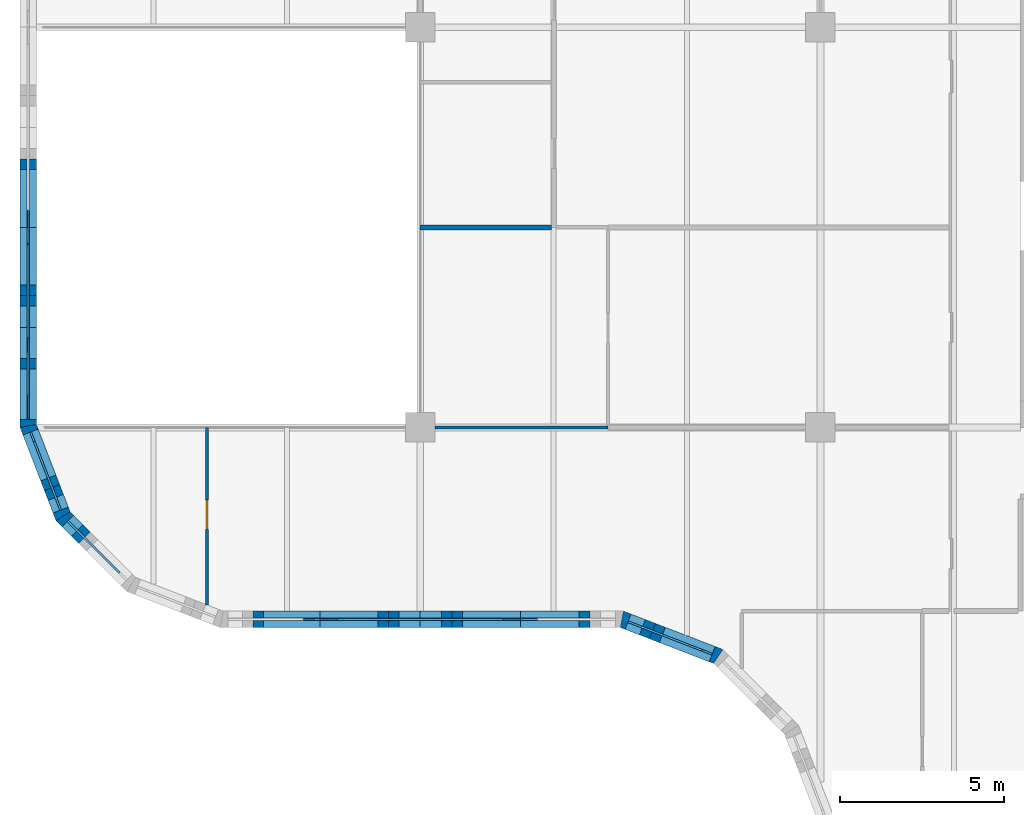
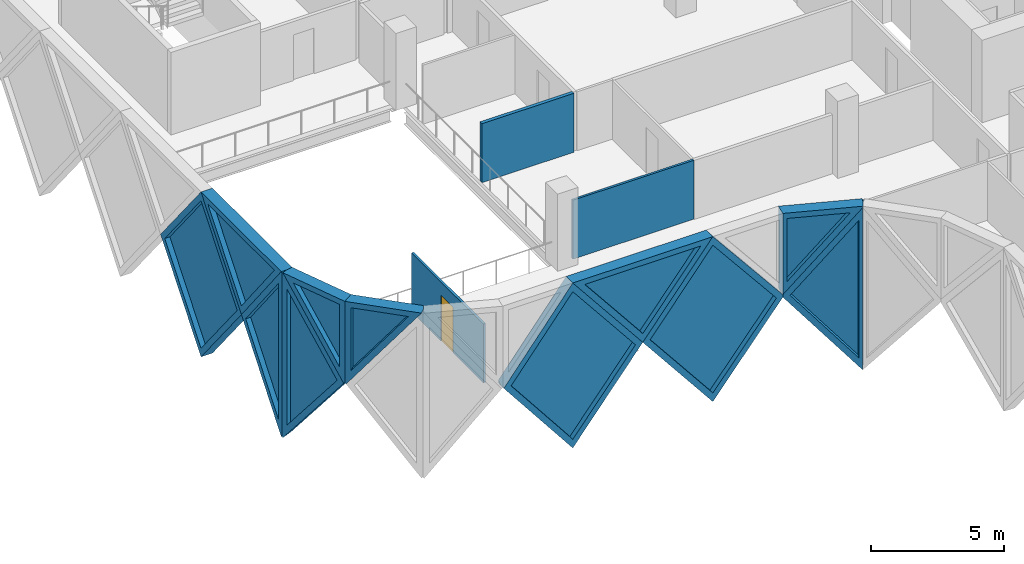
# One storey, part 5 of 24: 14 walls, 11 plates, 1 door, 12 openings.
"""IFC4 building model written with IfcOpenShell, lengths in metres."""

from ifc_helpers import new_model, si_unit, direction, frame, frame_2d, origin, place, context, subcontext, project, spatial, polyline, rectangle, outline, extrude, faceted_brep, source, transform, mapped, material, layer, layer_set, type_object, element, fill, save


model = new_model("IFC4")

# Units and contexts
model_context = context("Model", 3, precision=1e-05, world=origin(), true_north=direction((0.0, 1.0)))
body_context = subcontext(model_context, "Body", "Model", "MODEL_VIEW")
ifc_project = project(units=[si_unit("LENGTHUNIT", "METRE"), si_unit("AREAUNIT", "SQUARE_METRE"), si_unit("VOLUMEUNIT", "CUBIC_METRE"), si_unit("PLANEANGLEUNIT", "RADIAN"), si_unit("MASSUNIT", "GRAM", prefix="KILO")], contexts=[model_context])

# Site, building, storey
site_placement = place(None, origin())
site = spatial("IfcSite", under=ifc_project, at=site_placement, CompositionType="ELEMENT")
building_placement = place(site_placement, origin())
building = spatial("IfcBuilding", under=site, at=building_placement, Name="Tessera Gate Towers", CompositionType="ELEMENT")
storey_placement = place(building_placement, frame((0.0, 0.0, 102.800048828125)))
storey = spatial("IfcBuildingStorey", under=building, at=storey_placement, Name="L25", CompositionType="ELEMENT", Elevation=102.800048828125)

# Wall, opening, door
ifc_material_1 = material(Name="Glass", Category="glass")
ifc_layer_1 = layer(ifc_material_1, 0.10009765625)
ifc_layer_set_1 = layer_set([ifc_layer_1], Name="GLAZED PARTITION 100")
wall_type_1 = type_object("IfcWallType", Name="GLAZED PARTITION 100", PredefinedType="PARTITIONING", material=ifc_layer_set_1)
wall_1_placement = place(storey_placement, frame((5.699951171875, 18.990234375, 0.0), z_axis=(0.0, 0.0, 1.0), x_axis=(0.0, 1.0, 0.0)))
wall_1 = element("IfcWall", 1, at=wall_1_placement, inside=storey, type_object=wall_type_1, Name="T1-L25-PW-022", PredefinedType="PARTITIONING", context=body_context, shape_type="SweptSolid", body=[
    extrude(rectangle(XDim=5.40966796875, YDim=0.10009765625, at=frame_2d((2.704833984375, 0.0))), origin(), (0.0, 0.0, 1.0), 2.71484375),
])
shared_shape_1 = source(origin(), body_context, "Body", "SweptSolid", [
    extrude(rectangle(XDim=0.89990234375, YDim=2.10009765625, at=frame_2d((0.449951171875, 1.050048828125))), frame((0.0, 0.06005859375, 0.0), z_axis=(0.0, -1.0, 0.0), x_axis=(1.0, 0.0, 0.0)), (0.0, 0.0, 1.0), 0.1201171875),
])
opening_1_placement = place(wall_1_placement, frame((2.300048828125, 0.0, 0.0)))
opening_1 = element("IfcOpeningElement", 2, at=opening_1_placement, cuts=wall_1, Name="Opening D690-A09-01", PredefinedType="OPENING", context=body_context, shape_type="MappedRepresentation", body=[
    mapped(shared_shape_1, transform((0.0, 0.0, 0.0), scale=1.0)),
])
ifc_material_2 = material(Name="Glass in aluminium frame", Category="aluminium")
door_type = type_object("IfcDoorType", Name="GLAZED DOOR 900 NOT RATED", OperationType="NOTDEFINED", PredefinedType="DOOR", material=ifc_material_2)
shared_shape_2 = source(origin(), body_context, "Body", "SweptSolid", [
    extrude(rectangle(XDim=0.89990234375, YDim=2.10009765625, at=frame_2d((0.449951171875, 1.050048828125))), frame((0.0, 0.02490234375, 0.0), z_axis=(0.0, -1.0, 0.0), x_axis=(1.0, 0.0, 0.0)), (0.0, 0.0, 1.0), 0.050048828125),
])
door_placement = place(opening_1_placement, origin())
door = element("IfcDoor", 3, at=door_placement, inside=storey, type_object=door_type, Name="T1-L25-PD-008", OperationType="SINGLE_SWING_LEFT", OverallHeight=2.10009765625, OverallWidth=0.89990234375, PredefinedType="DOOR", context=body_context, shape_type="MappedRepresentation", body=[
    mapped(shared_shape_2, transform((0.0, 0.0, 0.0), scale=1.0)),
])
fill(opening_1, door)

# Walls
wall_2_placement = place(storey_placement, frame((12.65087890625, 24.39990234375, 0.0), z_axis=(0.0, 0.0, 1.0), x_axis=(1.0, 0.0, 0.0)))
element("IfcWall", 4, at=wall_2_placement, inside=storey, type_object=wall_type_1, Name="T1-L25-PW-027", PredefinedType="PARTITIONING", context=body_context, shape_type="SweptSolid", body=[
    extrude(rectangle(XDim=5.273193359375, YDim=0.10009765625, at=frame_2d((2.63671875, 0.0))), origin(), (0.0, 0.0, 1.0), 2.71484375),
])
ifc_material_3 = material(Name="Gypsum board on steel studs, mineral wool", Category="steel")
ifc_layer_2 = layer(ifc_material_3, 0.14990234375)
ifc_layer_set_2 = layer_set([ifc_layer_2], Name="TENANCY WALL 150")
wall_type_2 = type_object("IfcWallType", Name="TENANCY WALL 150", PredefinedType="PARTITIONING", material=ifc_layer_set_2)
wall_3_placement = place(storey_placement, frame((12.199951171875, 30.5, 0.0), z_axis=(0.0, 0.0, 1.0), x_axis=(1.0, 0.0, 0.0)))
element("IfcWall", 5, at=wall_3_placement, inside=storey, type_object=wall_type_2, Name="T1-L25-PW-031", PredefinedType="PARTITIONING", context=body_context, shape_type="SweptSolid", body=[
    extrude(rectangle(XDim=3.9990234375, YDim=0.14990234375, at=frame_2d((1.99951171875, 0.0))), origin(), (0.0, 0.0, 1.0), 2.71484375),
])

# Wall, opening, plate
ifc_material_4 = material(Name="Precast concrete C60/75 white", Category="concrete")
ifc_layer_3 = layer(ifc_material_4, 0.5)
ifc_layer_set_3 = layer_set([ifc_layer_3], Name="TS1 tessera")
wall_type_3 = type_object("IfcWallType", Name="TS1 tessera", PredefinedType="SOLIDWALL", material=ifc_layer_set_3)
shared_shape_3 = source(origin(), body_context, "Body", "Brep", [
    faceted_brep([(3.00341796875, -0.25, 0.0), (6.053466796875, -0.25, 3.800048828125), (3.00341796875, -0.25, 7.60009765625), (0.0, -0.25, 3.800048828125), (0.046630859375, 0.25, 3.85888671875), (3.00341796875, 0.25, 7.60009765625), (6.053466796875, 0.25, 3.800048828125), (3.00341796875, 0.25, 0.0), (0.046630859375, 0.25, 3.7412109375), (0.0, 0.0, 3.800048828125)], [[[0, 1, 2, 3]], [[4, 5, 6, 7, 8]], [[7, 6, 1, 0]], [[6, 5, 2, 1]], [[5, 4, 9, 3, 2]], [[8, 7, 0, 3, 9]], [[8, 9, 4]]]),
])
wall_4_placement = place(storey_placement, frame((6.146484375, 18.550048828125, -3.800048828125), z_axis=(0.0, 0.0, 1.0), x_axis=(1.0, 0.0, 0.0)))
wall_4 = element("IfcWall", 6, at=wall_4_placement, inside=storey, type_object=wall_type_3, Name="Precast tessera T1 TS1-0435", PredefinedType="SOLIDWALL", context=body_context, shape_type="MappedRepresentation", body=[
    mapped(shared_shape_3, transform((0.0, 0.0, 0.0), scale=1.0)),
])
shared_shape_4 = source(origin(), body_context, "Body", "SweptSolid", [
    extrude(outline(polyline([(3.0048828125, 0.4013671875), (5.73291015625, 3.800048828125), (3.0048828125, 7.19873046875), (0.318603515625, 3.800048828125), (3.0048828125, 0.4013671875)])), frame((0.0, 0.260009765625, 0.0), z_axis=(0.0, -1.0, 0.0), x_axis=(1.0, 0.0, 0.0)), (0.0, 0.0, 1.0), 0.52001953125),
])
opening_2_placement = place(wall_4_placement, origin())
opening_2 = element("IfcOpeningElement", 7, at=opening_2_placement, cuts=wall_4, Name="Opening T1-PL2-0883", PredefinedType="OPENING", context=body_context, shape_type="MappedRepresentation", body=[
    mapped(shared_shape_4, transform((0.0, 0.0, 0.0), scale=1.0)),
])
ifc_material_5 = material(Name="Low-e laminated glass", Category="glass")
ifc_layer_4 = layer(ifc_material_5, 0.06005859375)
ifc_layer_set_4 = layer_set([ifc_layer_4], Name="PL2 rhombic pane")
plate_type_1 = type_object("IfcPlateType", Name="PL2 rhombic pane", PredefinedType="SHEET", material=ifc_layer_set_4)
shared_shape_5 = source(origin(), body_context, "Body", "SweptSolid", [
    extrude(outline(polyline([(3.0048828125, 0.4013671875), (5.73291015625, 3.800048828125), (3.0048828125, 7.19873046875), (0.318603515625, 3.800048828125), (3.0048828125, 0.4013671875)])), frame((0.0, 0.030029296875, 0.0), z_axis=(0.0, -1.0, 0.0), x_axis=(1.0, 0.0, 0.0)), (0.0, 0.0, 1.0), 0.06005859375),
])
plate_1_placement = place(opening_2_placement, origin())
plate_1 = element("IfcPlate", 8, at=plate_1_placement, inside=storey, type_object=plate_type_1, Name="Glass pane T1 PL2-0883", PredefinedType="SHEET", context=body_context, shape_type="MappedRepresentation", body=[
    mapped(shared_shape_5, transform((0.0, 0.0, 0.0), scale=1.0)),
])
fill(opening_2, plate_1)

shared_shape_6 = source(origin(), body_context, "Body", "SweptSolid", [
    extrude(outline(polyline([(3.050048828125, 0.0), (6.10009765625, 3.800048828125), (3.050048828125, 7.60009765625), (0.0, 3.800048828125), (3.050048828125, 0.0)])), frame((0.0, 0.25, 0.0), z_axis=(0.0, -1.0, 0.0), x_axis=(1.0, 0.0, 0.0)), (0.0, 0.0, 1.0), 0.5),
])
wall_5_placement = place(storey_placement, frame((0.25, 33.550048828125, -3.800048828125), z_axis=(0.0, 0.0, 1.0), x_axis=(0.0, -1.0, 0.0)))
wall_5 = element("IfcWall", 9, at=wall_5_placement, inside=storey, type_object=wall_type_3, Name="Precast tessera T1 TS1-0434", PredefinedType="SOLIDWALL", context=body_context, shape_type="MappedRepresentation", body=[
    mapped(shared_shape_6, transform((0.0, 0.0, 0.0), scale=1.0)),
])
shared_shape_7 = source(origin(), body_context, "Body", "SweptSolid", [
    extrude(outline(polyline([(3.050048828125, 0.3994140625), (5.779541015625, 3.800048828125), (3.050048828125, 7.20068359375), (0.320556640625, 3.800048828125), (3.050048828125, 0.3994140625)])), frame((0.0, 0.260009765625, 0.0), z_axis=(0.0, -1.0, 0.0), x_axis=(1.0, 0.0, 0.0)), (0.0, 0.0, 1.0), 0.52001953125),
])
opening_3_placement = place(wall_5_placement, origin())
opening_3 = element("IfcOpeningElement", 10, at=opening_3_placement, cuts=wall_5, Name="Opening T1-PL2-0878", PredefinedType="OPENING", context=body_context, shape_type="MappedRepresentation", body=[
    mapped(shared_shape_7, transform((0.0, 0.0, 0.0), scale=1.0)),
])
shared_shape_8 = source(origin(), body_context, "Body", "SweptSolid", [
    extrude(outline(polyline([(3.050048828125, 0.3994140625), (5.779541015625, 3.800048828125), (3.050048828125, 7.20068359375), (0.320556640625, 3.800048828125), (3.050048828125, 0.3994140625)])), frame((0.0, 0.030029296875, 0.0), z_axis=(0.0, -1.0, 0.0), x_axis=(1.0, 0.0, 0.0)), (0.0, 0.0, 1.0), 0.06005859375),
])
plate_2_placement = place(opening_3_placement, origin())
plate_2 = element("IfcPlate", 11, at=plate_2_placement, inside=storey, type_object=plate_type_1, Name="Glass pane T1 PL2-0878", PredefinedType="SHEET", context=body_context, shape_type="MappedRepresentation", body=[
    mapped(shared_shape_8, transform((0.0, 0.0, 0.0), scale=1.0)),
])
fill(opening_3, plate_2)

ifc_material_6 = material(Name="Precast concrete C60/75 white", Category="concrete")
ifc_layer_5 = layer(ifc_material_6, 0.5)
ifc_layer_set_5 = layer_set([ifc_layer_5], Name="TS3 corner tessera")
wall_type_4 = type_object("IfcWallType", Name="TS3 corner tessera", PredefinedType="SOLIDWALL", material=ifc_layer_set_5)
shared_shape_9 = source(origin(), body_context, "Body", "Brep", [
    faceted_brep([(3.00341796875, -0.25, 0.0), (3.050048828125, -0.25, 0.06005859375), (3.050048828125, -0.25, 7.5400390625), (3.00341796875, -0.25, 7.60009765625), (0.0, -0.25, 3.800048828125), (0.0, 0.25, 3.800048828125), (2.956787109375, 0.25, 7.541259765625), (2.956787109375, 0.25, 0.058837890625), (3.00341796875, 0.000244140625, 0.0), (3.00341796875, 0.000244140625, 7.60009765625)], [[[0, 1, 2, 3, 4]], [[5, 6, 7]], [[1, 0, 8]], [[9, 3, 2]], [[6, 5, 4, 3, 9]], [[5, 7, 8, 0, 4]], [[1, 8, 7, 6, 9, 2]]]),
])
wall_6_placement = place(storey_placement, frame((0.25, 27.449951171875, -3.800048828125), z_axis=(0.0, 0.0, 1.0), x_axis=(0.0, -1.0, 0.0)))
wall_6 = element("IfcWall", 12, at=wall_6_placement, inside=storey, type_object=wall_type_4, Name="Precast corner tessera T1 TS3-0565", PredefinedType="SOLIDWALL", context=body_context, shape_type="MappedRepresentation", body=[
    mapped(shared_shape_9, transform((0.0, 0.0, 0.0), scale=1.0)),
])
shared_shape_10 = source(origin(), body_context, "Body", "SweptSolid", [
    extrude(outline(polyline([(2.803466796875, 6.94384765625), (0.318603515625, 3.800048828125), (2.803466796875, 0.65625), (2.803466796875, 6.94384765625)])), frame((0.0, 0.260009765625, 0.0), z_axis=(0.0, -1.0, 0.0), x_axis=(1.0, 0.0, 0.0)), (0.0, 0.0, 1.0), 0.52001953125),
])
opening_4_placement = place(wall_6_placement, origin())
opening_4 = element("IfcOpeningElement", 13, at=opening_4_placement, cuts=wall_6, Name="Opening T1-PL2-0879", PredefinedType="OPENING", context=body_context, shape_type="MappedRepresentation", body=[
    mapped(shared_shape_10, transform((0.0, 0.0, 0.0), scale=1.0)),
])
shared_shape_11 = source(origin(), body_context, "Body", "SweptSolid", [
    extrude(outline(polyline([(2.803466796875, 6.94384765625), (0.318603515625, 3.800048828125), (2.803466796875, 0.65625), (2.803466796875, 6.94384765625)])), frame((0.0, 0.030029296875, 0.0), z_axis=(0.0, -1.0, 0.0), x_axis=(1.0, 0.0, 0.0)), (0.0, 0.0, 1.0), 0.06005859375),
])
plate_3_placement = place(opening_4_placement, origin())
plate_3 = element("IfcPlate", 14, at=plate_3_placement, inside=storey, type_object=plate_type_1, Name="Glass pane T1 PL2-0879", PredefinedType="SHEET", context=body_context, shape_type="MappedRepresentation", body=[
    mapped(shared_shape_11, transform((0.0, 0.0, 0.0), scale=1.0)),
])
fill(opening_4, plate_3)

shared_shape_12 = source(origin(), body_context, "Body", "Brep", [
    faceted_brep([(0.046630859375, -0.25, 0.0), (2.9970703125, -0.25, 3.800048828125), (0.046630859375, -0.25, 7.60009765625), (0.0, -0.25, 7.541259765625), (0.0, -0.25, 0.058837890625), (0.09326171875, 0.25, 7.5400390625), (2.9443359375, 0.25, 3.8681640625), (2.9443359375, 0.25, 3.73193359375), (0.09326171875, 0.25, 0.06005859375), (2.9970703125, 0.00048828125, 3.800048828125), (0.046630859375, 0.0, 0.0), (0.046630859375, 0.0, 7.60009765625)], [[[0, 1, 2, 3, 4]], [[5, 6, 7, 8]], [[8, 7, 9, 1, 0, 10]], [[6, 5, 11, 2, 1, 9]], [[3, 2, 11]], [[10, 0, 4]], [[8, 10, 4, 3, 11, 5]], [[9, 7, 6]]]),
])
wall_7_placement = place(storey_placement, frame((0.233154296875, 24.489990234375, -3.800048828125), z_axis=(0.0, 0.0, 1.0), x_axis=(0.359901446078, -0.932990326376, 0.0)))
wall_7 = element("IfcWall", 15, at=wall_7_placement, inside=storey, type_object=wall_type_4, Name="Precast corner tessera T1 TS3-0566", PredefinedType="SOLIDWALL", context=body_context, shape_type="MappedRepresentation", body=[
    mapped(shared_shape_12, transform((0.0, 0.0, 0.0), scale=1.0)),
])
shared_shape_13 = source(origin(), body_context, "Body", "SweptSolid", [
    extrude(outline(polyline([(0.24658203125, 0.665283203125), (2.6806640625, 3.800048828125), (0.24658203125, 6.934814453125), (0.24658203125, 0.665283203125)])), frame((0.0, 0.260009765625, 0.0), z_axis=(0.0, -1.0, 0.0), x_axis=(1.0, 0.0, 0.0)), (0.0, 0.0, 1.0), 0.52001953125),
])
opening_5_placement = place(wall_7_placement, origin())
opening_5 = element("IfcOpeningElement", 16, at=opening_5_placement, cuts=wall_7, Name="Opening T1-PL2-0880", PredefinedType="OPENING", context=body_context, shape_type="MappedRepresentation", body=[
    mapped(shared_shape_13, transform((0.0, 0.0, 0.0), scale=1.0)),
])
shared_shape_14 = source(origin(), body_context, "Body", "SweptSolid", [
    extrude(outline(polyline([(0.24658203125, 0.665283203125), (2.6806640625, 3.800048828125), (0.24658203125, 6.934814453125), (0.24658203125, 0.665283203125)])), frame((0.0, 0.030029296875, 0.0), z_axis=(0.0, -1.0, 0.0), x_axis=(1.0, 0.0, 0.0)), (0.0, 0.0, 1.0), 0.06005859375),
])
plate_4_placement = place(opening_5_placement, origin())
plate_4 = element("IfcPlate", 17, at=plate_4_placement, inside=storey, type_object=plate_type_1, Name="Glass pane T1 PL2-0880", PredefinedType="SHEET", context=body_context, shape_type="MappedRepresentation", body=[
    mapped(shared_shape_14, transform((0.0, 0.0, 0.0), scale=1.0)),
])
fill(opening_5, plate_4)

shared_shape_15 = source(origin(), body_context, "Body", "Brep", [
    faceted_brep([(3.050048828125, -0.25, 0.0), (6.10009765625, -0.25, 3.742919921875), (6.10009765625, -0.25, 3.857177734375), (3.050048828125, -0.25, 7.60009765625), (0.0, -0.25, 3.800048828125), (0.0, 0.25, 3.800048828125), (3.050048828125, 0.25, 7.60009765625), (6.146484375, 0.25, 3.800048828125), (3.050048828125, 0.25, 0.0), (6.146484375, -0.000244140625, 3.800048828125)], [[[0, 1, 2, 3, 4]], [[5, 6, 7, 8]], [[8, 7, 9, 1, 0]], [[7, 6, 3, 2, 9]], [[6, 5, 4, 3]], [[5, 8, 0, 4]], [[1, 9, 2]]]),
])
wall_8_placement = place(storey_placement, frame((12.199951171875, 18.550048828125, -3.800048828125), z_axis=(0.0, 0.0, 1.0), x_axis=(1.0, 0.0, 0.0)))
wall_8 = element("IfcWall", 18, at=wall_8_placement, inside=storey, type_object=wall_type_3, Name="Precast tessera T1 TS1-0436", PredefinedType="SOLIDWALL", context=body_context, shape_type="MappedRepresentation", body=[
    mapped(shared_shape_15, transform((0.0, 0.0, 0.0), scale=1.0)),
])
shared_shape_16 = source(origin(), body_context, "Body", "SweptSolid", [
    extrude(outline(polyline([(3.051513671875, 0.3974609375), (5.823974609375, 3.800048828125), (3.051513671875, 7.202392578125), (0.320556640625, 3.800048828125), (3.051513671875, 0.3974609375)])), frame((0.0, 0.260009765625, 0.0), z_axis=(0.0, -1.0, 0.0), x_axis=(1.0, 0.0, 0.0)), (0.0, 0.0, 1.0), 0.52001953125),
])
opening_6_placement = place(wall_8_placement, origin())
opening_6 = element("IfcOpeningElement", 19, at=opening_6_placement, cuts=wall_8, Name="Opening T1-PL2-0884", PredefinedType="OPENING", context=body_context, shape_type="MappedRepresentation", body=[
    mapped(shared_shape_16, transform((0.0, 0.0, 0.0), scale=1.0)),
])
shared_shape_17 = source(origin(), body_context, "Body", "SweptSolid", [
    extrude(outline(polyline([(3.051513671875, 0.3974609375), (5.823974609375, 3.800048828125), (3.051513671875, 7.202392578125), (0.320556640625, 3.800048828125), (3.051513671875, 0.3974609375)])), frame((0.0, 0.030029296875, 0.0), z_axis=(0.0, -1.0, 0.0), x_axis=(1.0, 0.0, 0.0)), (0.0, 0.0, 1.0), 0.06005859375),
])
plate_5_placement = place(opening_6_placement, origin())
plate_5 = element("IfcPlate", 20, at=plate_5_placement, inside=storey, type_object=plate_type_1, Name="Glass pane T1 PL2-0884", PredefinedType="SHEET", context=body_context, shape_type="MappedRepresentation", body=[
    mapped(shared_shape_17, transform((0.0, 0.0, 0.0), scale=1.0)),
])
fill(opening_6, plate_5)

shared_shape_18 = source(origin(), body_context, "Body", "Brep", [
    faceted_brep([(3.096435546875, -0.25, 7.536376953125), (0.046630859375, -0.25, 3.856201171875), (0.046630859375, -0.25, 3.743896484375), (3.096435546875, -0.25, 0.063720703125), (0.0, 0.25, 3.800048828125), (3.1494140625, 0.25, 7.60009765625), (3.202392578125, 0.25, 7.536376953125), (3.202392578125, 0.25, 0.063720703125), (3.1494140625, 0.25, 0.0), (3.1494140625, -0.000244140625, 0.0), (3.1494140625, -0.000244140625, 7.60009765625), (0.0, 0.0, 3.800048828125)], [[[0, 1, 2, 3]], [[4, 5, 6, 7, 8]], [[8, 7, 9]], [[6, 5, 10]], [[5, 4, 11, 1, 0, 10]], [[4, 8, 9, 3, 2, 11]], [[11, 2, 1]], [[3, 9, 7, 6, 10, 0]]]),
])
wall_9_placement = place(storey_placement, frame((18.346435546875, 18.550048828125, -3.800048828125), z_axis=(0.0, 0.0, 1.0), x_axis=(0.932985567668, -0.359913782069, 0.0)))
wall_9 = element("IfcWall", 21, at=wall_9_placement, inside=storey, type_object=wall_type_4, Name="Precast corner tessera T1 TS3-0569", PredefinedType="SOLIDWALL", context=body_context, shape_type="MappedRepresentation", body=[
    mapped(shared_shape_18, transform((0.0, 0.0, 0.0), scale=1.0)),
])
shared_shape_19 = source(origin(), body_context, "Body", "SweptSolid", [
    extrude(outline(polyline([(2.949462890625, 6.966796875), (0.32470703125, 3.800048828125), (2.949462890625, 0.633056640625), (2.949462890625, 6.966796875)])), frame((0.0, 0.260009765625, 0.0), z_axis=(0.0, -1.0, 0.0), x_axis=(1.0, 0.0, 0.0)), (0.0, 0.0, 1.0), 0.52001953125),
])
opening_7_placement = place(wall_9_placement, origin())
opening_7 = element("IfcOpeningElement", 22, at=opening_7_placement, cuts=wall_9, Name="Opening T1-PL2-0885", PredefinedType="OPENING", context=body_context, shape_type="MappedRepresentation", body=[
    mapped(shared_shape_19, transform((0.0, 0.0, 0.0), scale=1.0)),
])
shared_shape_20 = source(origin(), body_context, "Body", "SweptSolid", [
    extrude(outline(polyline([(2.949462890625, 6.966796875), (0.32470703125, 3.800048828125), (2.949462890625, 0.633056640625), (2.949462890625, 6.966796875)])), frame((0.0, 0.030029296875, 0.0), z_axis=(0.0, -1.0, 0.0), x_axis=(1.0, 0.0, 0.0)), (0.0, 0.0, 1.0), 0.06005859375),
])
plate_6_placement = place(opening_7_placement, origin())
plate_6 = element("IfcPlate", 23, at=plate_6_placement, inside=storey, type_object=plate_type_1, Name="Glass pane T1 PL2-0885", PredefinedType="SHEET", context=body_context, shape_type="MappedRepresentation", body=[
    mapped(shared_shape_20, transform((0.0, 0.0, 0.0), scale=1.0)),
])
fill(opening_7, plate_6)

ifc_material_7 = material(Name="Precast concrete C60/75 white", Category="concrete")
ifc_layer_6 = layer(ifc_material_7, 0.5)
ifc_layer_set_6 = layer_set([ifc_layer_6], Name="TS2 half tessera")
wall_type_5 = type_object("IfcWallType", Name="TS2 half tessera", PredefinedType="SOLIDWALL", material=ifc_layer_set_6)
shared_shape_21 = source(origin(), body_context, "Body", "SweptSolid", [
    extrude(outline(polyline([(3.050048828125, 0.0), (6.10009765625, 3.800048828125), (0.0, 3.800048828125), (3.050048828125, 0.0)])), frame((0.0, 0.25, 0.0), z_axis=(0.0, -1.0, 0.0), x_axis=(1.0, 0.0, 0.0)), (0.0, 0.0, 1.0), 0.5),
])
wall_10_placement = place(storey_placement, frame((9.14990234375, 18.550048828125, 0.0), z_axis=(0.0, 0.0, 1.0), x_axis=(1.0, 0.0, 0.0)))
wall_10 = element("IfcWall", 24, at=wall_10_placement, inside=storey, type_object=wall_type_5, Name="Precast half tessera T1 TS2-0136", PredefinedType="SOLIDWALL", context=body_context, shape_type="MappedRepresentation", body=[
    mapped(shared_shape_21, transform((0.0, 0.0, 0.0), scale=1.0)),
])
shared_shape_22 = source(origin(), body_context, "Body", "SweptSolid", [
    extrude(outline(polyline([(3.050048828125, 0.3994140625), (5.578857421875, 3.550048828125), (0.521240234375, 3.550048828125), (3.050048828125, 0.3994140625)])), frame((0.0, 0.260009765625, 0.0), z_axis=(0.0, -1.0, 0.0), x_axis=(1.0, 0.0, 0.0)), (0.0, 0.0, 1.0), 0.52001953125),
])
opening_8_placement = place(wall_10_placement, origin())
opening_8 = element("IfcOpeningElement", 25, at=opening_8_placement, cuts=wall_10, Name="Opening T1-PL1-0274", PredefinedType="OPENING", context=body_context, shape_type="MappedRepresentation", body=[
    mapped(shared_shape_22, transform((0.0, 0.0, 0.0), scale=1.0)),
])
ifc_material_8 = material(Name="Low-e laminated glass", Category="glass")
ifc_layer_7 = layer(ifc_material_8, 0.06005859375)
ifc_layer_set_7 = layer_set([ifc_layer_7], Name="PL1 triangular pane")
plate_type_2 = type_object("IfcPlateType", Name="PL1 triangular pane", PredefinedType="SHEET", material=ifc_layer_set_7)
shared_shape_23 = source(origin(), body_context, "Body", "SweptSolid", [
    extrude(outline(polyline([(3.050048828125, 0.3994140625), (5.578857421875, 3.550048828125), (0.521240234375, 3.550048828125), (3.050048828125, 0.3994140625)])), frame((0.0, 0.030029296875, 0.0), z_axis=(0.0, -1.0, 0.0), x_axis=(1.0, 0.0, 0.0)), (0.0, 0.0, 1.0), 0.06005859375),
])
plate_7_placement = place(opening_8_placement, origin())
plate_7 = element("IfcPlate", 26, at=plate_7_placement, inside=storey, type_object=plate_type_2, Name="Glass pane T1 PL1-0274", PredefinedType="SHEET", context=body_context, shape_type="MappedRepresentation", body=[
    mapped(shared_shape_23, transform((0.0, 0.0, 0.0), scale=1.0)),
])
fill(opening_8, plate_7)

shared_shape_24 = source(origin(), body_context, "Body", "Brep", [
    faceted_brep([(3.050048828125, -0.25, 0.0), (6.053466796875, -0.25, 3.800048828125), (0.0, -0.25, 3.800048828125), (0.0, 0.25, 3.800048828125), (6.0068359375, 0.25, 3.800048828125), (6.0068359375, 0.25, 3.7412109375), (3.050048828125, 0.25, 0.0), (6.053466796875, 0.0, 3.800048828125)], [[[0, 1, 2]], [[3, 4, 5, 6]], [[6, 5, 7, 1, 0]], [[4, 3, 2, 1, 7]], [[3, 6, 0, 2]], [[5, 4, 7]]]),
])
wall_11_placement = place(storey_placement, frame((0.25, 30.5, 0.0), z_axis=(0.0, 0.0, 1.0), x_axis=(0.0, -1.0, 0.0)))
wall_11 = element("IfcWall", 27, at=wall_11_placement, inside=storey, type_object=wall_type_5, Name="Precast half tessera T1 TS2-0135", PredefinedType="SOLIDWALL", context=body_context, shape_type="MappedRepresentation", body=[
    mapped(shared_shape_24, transform((0.0, 0.0, 0.0), scale=1.0)),
])
shared_shape_25 = source(origin(), body_context, "Body", "SweptSolid", [
    extrude(outline(polyline([(3.048583984375, 0.401123046875), (5.537109375, 3.550048828125), (0.521240234375, 3.550048828125), (3.048583984375, 0.401123046875)])), frame((0.0, 0.260009765625, 0.0), z_axis=(0.0, -1.0, 0.0), x_axis=(1.0, 0.0, 0.0)), (0.0, 0.0, 1.0), 0.52001953125),
])
opening_9_placement = place(wall_11_placement, origin())
opening_9 = element("IfcOpeningElement", 28, at=opening_9_placement, cuts=wall_11, Name="Opening T1-PL1-0269", PredefinedType="OPENING", context=body_context, shape_type="MappedRepresentation", body=[
    mapped(shared_shape_25, transform((0.0, 0.0, 0.0), scale=1.0)),
])
shared_shape_26 = source(origin(), body_context, "Body", "SweptSolid", [
    extrude(outline(polyline([(3.048583984375, 0.401123046875), (5.537109375, 3.550048828125), (0.521240234375, 3.550048828125), (3.048583984375, 0.401123046875)])), frame((0.0, 0.030029296875, 0.0), z_axis=(0.0, -1.0, 0.0), x_axis=(1.0, 0.0, 0.0)), (0.0, 0.0, 1.0), 0.06005859375),
])
plate_8_placement = place(opening_9_placement, origin())
plate_8 = element("IfcPlate", 29, at=plate_8_placement, inside=storey, type_object=plate_type_2, Name="Glass pane T1 PL1-0269", PredefinedType="SHEET", context=body_context, shape_type="MappedRepresentation", body=[
    mapped(shared_shape_26, transform((0.0, 0.0, 0.0), scale=1.0)),
])
fill(opening_9, plate_8)

shared_shape_27 = source(origin(), body_context, "Body", "Brep", [
    faceted_brep([(2.950439453125, -0.25, 0.0), (3.00341796875, -0.25, 0.068359375), (3.00341796875, -0.25, 3.800048828125), (0.0, -0.25, 3.800048828125), (0.046630859375, 0.25, 3.800048828125), (2.897705078125, 0.25, 3.800048828125), (2.897705078125, 0.25, 0.068115234375), (0.046630859375, 0.25, 3.739990234375), (2.950439453125, 0.00048828125, 0.0), (0.0, 0.0, 3.800048828125)], [[[0, 1, 2, 3]], [[4, 5, 6, 7]], [[1, 0, 8]], [[5, 4, 9, 3, 2]], [[7, 6, 8, 0, 3, 9]], [[7, 9, 4]], [[1, 8, 6, 5, 2]]]),
])
wall_12_placement = place(storey_placement, frame((0.25, 24.446533203125, 0.0), z_axis=(0.0, 0.0, 1.0), x_axis=(0.35992665181, -0.932980602862, 0.0)))
wall_12 = element("IfcWall", 30, at=wall_12_placement, inside=storey, type_object=wall_type_4, Name="Precast corner tessera T1 TS3-0591", PredefinedType="SOLIDWALL", context=body_context, shape_type="MappedRepresentation", body=[
    mapped(shared_shape_27, transform((0.0, 0.0, 0.0), scale=1.0)),
])
shared_shape_28 = source(origin(), body_context, "Body", "SweptSolid", [
    extrude(outline(polyline([(2.75048828125, 3.550048828125), (0.5107421875, 3.550048828125), (2.75048828125, 0.665283203125), (2.75048828125, 3.550048828125)])), frame((0.0, 0.260009765625, 0.0), z_axis=(0.0, -1.0, 0.0), x_axis=(1.0, 0.0, 0.0)), (0.0, 0.0, 1.0), 0.52001953125),
])
opening_10_placement = place(wall_12_placement, origin())
opening_10 = element("IfcOpeningElement", 31, at=opening_10_placement, cuts=wall_12, Name="Opening T1-PL1-0270", PredefinedType="OPENING", context=body_context, shape_type="MappedRepresentation", body=[
    mapped(shared_shape_28, transform((0.0, 0.0, 0.0), scale=1.0)),
])
shared_shape_29 = source(origin(), body_context, "Body", "SweptSolid", [
    extrude(outline(polyline([(2.75048828125, 3.550048828125), (0.5107421875, 3.550048828125), (2.75048828125, 0.665283203125), (2.75048828125, 3.550048828125)])), frame((0.0, 0.030029296875, 0.0), z_axis=(0.0, -1.0, 0.0), x_axis=(1.0, 0.0, 0.0)), (0.0, 0.0, 1.0), 0.06005859375),
])
plate_9_placement = place(opening_10_placement, origin())
plate_9 = element("IfcPlate", 32, at=plate_9_placement, inside=storey, type_object=plate_type_2, Name="Glass pane T1 PL1-0270", PredefinedType="SHEET", context=body_context, shape_type="MappedRepresentation", body=[
    mapped(shared_shape_29, transform((0.0, 0.0, 0.0), scale=1.0)),
])
fill(opening_10, plate_9)

shared_shape_30 = source(origin(), body_context, "Body", "Brep", [
    faceted_brep([(0.052978515625, -0.25, 0.0), (2.9970703125, -0.25, 3.800048828125), (0.0, -0.25, 3.800048828125), (0.0, -0.25, 0.068115234375), (0.10595703125, 0.25, 3.800048828125), (2.944091796875, 0.25, 3.800048828125), (2.944091796875, 0.25, 3.73193359375), (0.10595703125, 0.25, 0.068359375), (2.9970703125, 0.000244140625, 3.800048828125), (0.052978515625, 0.0, 0.0)], [[[0, 1, 2, 3]], [[4, 5, 6, 7]], [[7, 6, 8, 1, 0, 9]], [[5, 4, 2, 1, 8]], [[9, 0, 3]], [[7, 9, 3, 2, 4]], [[6, 5, 8]]]),
])
wall_13_placement = place(storey_placement, frame((1.2744140625, 21.731201171875, 0.0), z_axis=(0.0, 0.0, 1.0), x_axis=(0.707147509625, -0.707066050402, 0.0)))
wall_13 = element("IfcWall", 33, at=wall_13_placement, inside=storey, type_object=wall_type_4, Name="Precast corner tessera T1 TS3-0592", PredefinedType="SOLIDWALL", context=body_context, shape_type="MappedRepresentation", body=[
    mapped(shared_shape_30, transform((0.0, 0.0, 0.0), scale=1.0)),
])
shared_shape_31 = source(origin(), body_context, "Body", "SweptSolid", [
    extrude(outline(polyline([(0.2529296875, 0.666259765625), (2.487060546875, 3.550048828125), (0.2529296875, 3.550048828125), (0.2529296875, 0.666259765625)])), frame((0.0, 0.260009765625, 0.0), z_axis=(0.0, -1.0, 0.0), x_axis=(1.0, 0.0, 0.0)), (0.0, 0.0, 1.0), 0.52001953125),
])
opening_11_placement = place(wall_13_placement, origin())
opening_11 = element("IfcOpeningElement", 34, at=opening_11_placement, cuts=wall_13, Name="Opening T1-PL1-0271", PredefinedType="OPENING", context=body_context, shape_type="MappedRepresentation", body=[
    mapped(shared_shape_31, transform((0.0, 0.0, 0.0), scale=1.0)),
])
shared_shape_32 = source(origin(), body_context, "Body", "SweptSolid", [
    extrude(outline(polyline([(0.2529296875, 0.666259765625), (2.487060546875, 3.550048828125), (0.2529296875, 3.550048828125), (0.2529296875, 0.666259765625)])), frame((0.0, 0.030029296875, 0.0), z_axis=(0.0, -1.0, 0.0), x_axis=(1.0, 0.0, 0.0)), (0.0, 0.0, 1.0), 0.06005859375),
])
plate_10_placement = place(opening_11_placement, origin())
plate_10 = element("IfcPlate", 35, at=plate_10_placement, inside=storey, type_object=plate_type_2, Name="Glass pane T1 PL1-0271", PredefinedType="SHEET", context=body_context, shape_type="MappedRepresentation", body=[
    mapped(shared_shape_32, transform((0.0, 0.0, 0.0), scale=1.0)),
])
fill(opening_11, plate_10)

shared_shape_33 = source(origin(), body_context, "Body", "Brep", [
    faceted_brep([(0.09326171875, -0.25, 0.05615234375), (3.14306640625, -0.25, 3.736328125), (3.14306640625, -0.25, 3.800048828125), (0.09326171875, -0.25, 3.800048828125), (0.0, 0.25, 3.800048828125), (3.196044921875, 0.25, 3.800048828125), (0.046630859375, 0.25, 0.0), (0.0, 0.25, 0.05712890625), (3.196044921875, -0.000244140625, 3.800048828125), (0.046630859375, 0.0, 0.0)], [[[0, 1, 2, 3]], [[4, 5, 6, 7]], [[6, 5, 8, 1, 0, 9]], [[5, 4, 3, 2, 8]], [[7, 6, 9]], [[7, 9, 0, 3, 4]], [[1, 8, 2]]]),
])
wall_14_placement = place(storey_placement, frame((18.302978515625, 18.56689453125, 0.0), z_axis=(0.0, 0.0, 1.0), x_axis=(0.932978940178, -0.359930961693, 0.0)))
wall_14 = element("IfcWall", 36, at=wall_14_placement, inside=storey, type_object=wall_type_4, Name="Precast corner tessera T1 TS3-0596", PredefinedType="SOLIDWALL", context=body_context, shape_type="MappedRepresentation", body=[
    mapped(shared_shape_33, transform((0.0, 0.0, 0.0), scale=1.0)),
])
shared_shape_34 = source(origin(), body_context, "Body", "SweptSolid", [
    extrude(outline(polyline([(0.24658203125, 0.633056640625), (2.664306640625, 3.550048828125), (0.24658203125, 3.550048828125), (0.24658203125, 0.633056640625)])), frame((0.0, 0.260009765625, 0.0), z_axis=(0.0, -1.0, 0.0), x_axis=(1.0, 0.0, 0.0)), (0.0, 0.0, 1.0), 0.52001953125),
])
opening_12_placement = place(wall_14_placement, origin())
opening_12 = element("IfcOpeningElement", 37, at=opening_12_placement, cuts=wall_14, Name="Opening T1-PL1-0276", PredefinedType="OPENING", context=body_context, shape_type="MappedRepresentation", body=[
    mapped(shared_shape_34, transform((0.0, 0.0, 0.0), scale=1.0)),
])
shared_shape_35 = source(origin(), body_context, "Body", "SweptSolid", [
    extrude(outline(polyline([(0.24658203125, 0.633056640625), (2.664306640625, 3.550048828125), (0.24658203125, 3.550048828125), (0.24658203125, 0.633056640625)])), frame((0.0, 0.030029296875, 0.0), z_axis=(0.0, -1.0, 0.0), x_axis=(1.0, 0.0, 0.0)), (0.0, 0.0, 1.0), 0.06005859375),
])
plate_11_placement = place(opening_12_placement, origin())
plate_11 = element("IfcPlate", 38, at=plate_11_placement, inside=storey, type_object=plate_type_2, Name="Glass pane T1 PL1-0276", PredefinedType="SHEET", context=body_context, shape_type="MappedRepresentation", body=[
    mapped(shared_shape_35, transform((0.0, 0.0, 0.0), scale=1.0)),
])
fill(opening_12, plate_11)

save(model, "model.ifc")
